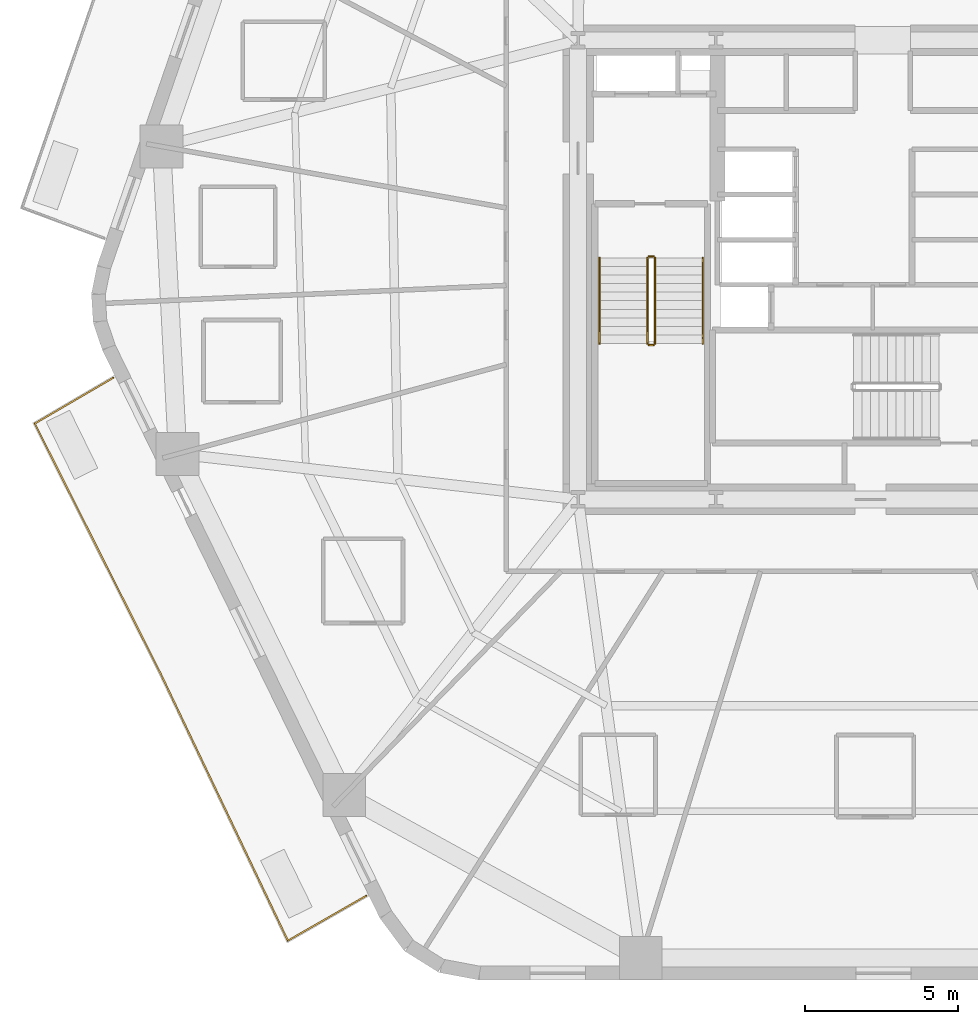
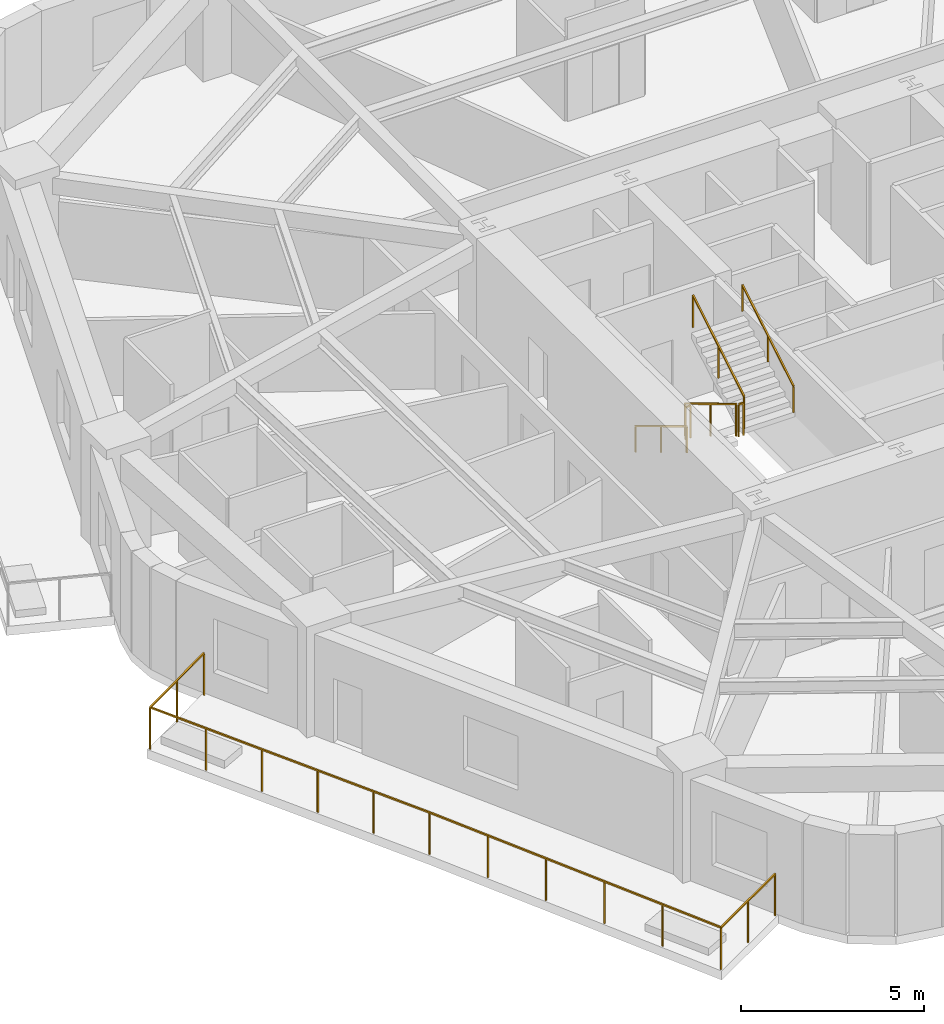
# One storey, part 8 of 10: 7 railings.
"""IFC4 building model written with IfcOpenShell, lengths in metres."""

from ifc_helpers import new_model, si_unit, direction, frame, origin, origin_2d, place, context, subcontext, project, spatial, rectangle, extrude, material, layer, layer_set, type_object, element, save


model = new_model("IFC4")

# Units and contexts
model_context = context("Model", 3, precision=1e-05, world=origin(), true_north=direction((0.0, 1.0)))
body_context = subcontext(model_context, "Body", "Model", "MODEL_VIEW")
ifc_project = project(units=[si_unit("LENGTHUNIT", "METRE"), si_unit("AREAUNIT", "SQUARE_METRE"), si_unit("VOLUMEUNIT", "CUBIC_METRE"), si_unit("PLANEANGLEUNIT", "RADIAN"), si_unit("MASSUNIT", "GRAM", prefix="KILO")], contexts=[model_context])

# Site, building, storey
site_placement = place(None, origin())
site = spatial("IfcSite", under=ifc_project, at=site_placement, CompositionType="ELEMENT")
building_placement = place(site_placement, origin())
building = spatial("IfcBuilding", under=site, at=building_placement, Name="Kilnhurst Terrace Hotel", CompositionType="ELEMENT")
storey_placement = place(building_placement, frame((0.0, 0.0, 82.300048828125)))
storey = spatial("IfcBuildingStorey", under=building, at=storey_placement, Name="L19", CompositionType="ELEMENT", Elevation=82.300048828125)

# Railings
ifc_material_1 = material(Name="Laminated SentryGlas and Stainless Steel AISI 316L Balustrade", Category="steel")
ifc_layer_1 = layer(ifc_material_1, 0.070068359375, Name="Laminated SentryGlas and Stainless Steel AISI 316L Balustrade")
ifc_layer_set_1 = layer_set([ifc_layer_1], Name="Laminated SentryGlas and Stainless Steel AISI 316L Balustrade")
railing_type_1 = type_object("IfcRailingType", Name="RLG-BAL-1420", PredefinedType="BALUSTRADE", material=ifc_layer_set_1)
railing_1_placement = place(storey_placement, frame((-15.923095703125, -20.44873046875, 0.0)))
element("IfcRailing", 1, at=railing_1_placement, inside=storey, type_object=railing_type_1, Name="L19 Exterior Terrace Guardrail BAL-L2B.1", PredefinedType="BALUSTRADE", context=body_context, shape_type="SweptSolid", body=[
    extrude(rectangle(XDim=0.048095703125, YDim=0.048095703125, at=origin_2d()), frame((0.0, 0.0, 1.39599609375), z_axis=(-0.86763656582, -0.497198943736, 0.0), x_axis=(0.497198943736, -0.86763656582, 0.0)), (0.0, 0.0, 1.0), 2.95068359375),
    extrude(rectangle(XDim=0.048095703125, YDim=0.048095703125, at=origin_2d()), frame((-2.56005859375, -1.467041015625, 1.39599609375), z_axis=(-0.430147205624, 0.902758761516, 0.0), x_axis=(-0.902758761516, -0.430147205624, 0.0)), (0.0, 0.0, 1.0), 9.67041015625),
    extrude(rectangle(XDim=0.048095703125, YDim=0.048095703125, at=origin_2d()), frame((-6.7197265625, 7.262939453125, 1.39599609375), z_axis=(-0.514495755428, 0.857492925713, 0.0), x_axis=(-0.857492925713, -0.514495755428, 0.0)), (0.0, 0.0, 1.0), 0.00146484375),
    extrude(rectangle(XDim=0.048095703125, YDim=0.048095703125, at=origin_2d()), frame((-6.720458984375, 7.26416015625, 1.39599609375), z_axis=(-0.449648824937, 0.89320542667, 0.0), x_axis=(-0.89320542667, -0.449648824937, 0.0)), (0.0, 0.0, 1.0), 9.136962890625),
    extrude(rectangle(XDim=0.048095703125, YDim=0.048095703125, at=origin_2d()), frame((-10.828857421875, 15.42529296875, 1.39599609375), z_axis=(0.863737120301, 0.503942642584, 0.0), x_axis=(-0.503942642584, 0.863737120301, 0.0)), (0.0, 0.0, 1.0), 2.96728515625),
    extrude(rectangle(XDim=0.0419921875, YDim=0.0419921875, at=origin_2d()), origin(), (0.0, 0.0, 1.0), 1.371826171875),
    extrude(rectangle(XDim=0.0419921875, YDim=0.0419921875, at=origin_2d()), frame((-1.280029296875, -0.7333984375, 0.0)), (0.0, 0.0, 1.0), 1.371826171875),
    extrude(rectangle(XDim=0.0419921875, YDim=0.0419921875, at=origin_2d()), frame((-2.56005859375, -1.467041015625, 0.0)), (0.0, 0.0, 1.0), 1.371826171875),
    extrude(rectangle(XDim=0.0419921875, YDim=0.0419921875, at=origin_2d()), frame((-3.39208984375, 0.279052734375, 0.0)), (0.0, 0.0, 1.0), 1.371826171875),
    extrude(rectangle(XDim=0.0419921875, YDim=0.0419921875, at=origin_2d()), frame((-4.223876953125, 2.02490234375, 0.0)), (0.0, 0.0, 1.0), 1.371826171875),
    extrude(rectangle(XDim=0.0419921875, YDim=0.0419921875, at=origin_2d()), frame((-5.055908203125, 3.77099609375, 0.0)), (0.0, 0.0, 1.0), 1.371826171875),
    extrude(rectangle(XDim=0.0419921875, YDim=0.0419921875, at=origin_2d()), frame((-5.8876953125, 5.516845703125, 0.0)), (0.0, 0.0, 1.0), 1.371826171875),
    extrude(rectangle(XDim=0.0419921875, YDim=0.0419921875, at=origin_2d()), frame((-6.7197265625, 7.262939453125, 0.0)), (0.0, 0.0, 1.0), 1.371826171875),
    extrude(rectangle(XDim=0.0419921875, YDim=0.0419921875, at=origin_2d()), frame((-6.720458984375, 7.26416015625, 0.0)), (0.0, 0.0, 1.0), 1.371826171875),
    extrude(rectangle(XDim=0.0419921875, YDim=0.0419921875, at=origin_2d()), frame((-7.542236328125, 8.896484375, 0.0)), (0.0, 0.0, 1.0), 1.371826171875),
    extrude(rectangle(XDim=0.0419921875, YDim=0.0419921875, at=origin_2d()), frame((-8.36376953125, 10.528564453125, 0.0)), (0.0, 0.0, 1.0), 1.371826171875),
    extrude(rectangle(XDim=0.0419921875, YDim=0.0419921875, at=origin_2d()), frame((-9.185546875, 12.160888671875, 0.0)), (0.0, 0.0, 1.0), 1.371826171875),
    extrude(rectangle(XDim=0.0419921875, YDim=0.0419921875, at=origin_2d()), frame((-10.007080078125, 13.79296875, 0.0)), (0.0, 0.0, 1.0), 1.371826171875),
    extrude(rectangle(XDim=0.0419921875, YDim=0.0419921875, at=origin_2d()), frame((-10.828857421875, 15.42529296875, 0.0)), (0.0, 0.0, 1.0), 1.371826171875),
    extrude(rectangle(XDim=0.0419921875, YDim=0.0419921875, at=origin_2d()), frame((-9.54736328125, 16.1728515625, 0.0)), (0.0, 0.0, 1.0), 1.371826171875),
    extrude(rectangle(XDim=0.0419921875, YDim=0.0419921875, at=origin_2d()), frame((-8.265869140625, 16.920654296875, 0.0)), (0.0, 0.0, 1.0), 1.371826171875),
])
ifc_material_2 = material(Name="Powder-Coated Steel ASTM A500 Grade B", Category="steel")
ifc_layer_2 = layer(ifc_material_2, 0.050048828125, Name="Powder-Coated Steel ASTM A500 Grade B")
ifc_layer_set_2 = layer_set([ifc_layer_2], Name="Powder-Coated Steel ASTM A500 Grade B")
railing_type_2 = type_object("IfcRailingType", Name="RLG-ST-GRD-1100", PredefinedType="GUARDRAIL", material=ifc_layer_set_2)
railing_2_placement = place(storey_placement, frame((-6.739990234375, 0.389892578125, 0.168212890625)))
element("IfcRailing", 2, at=railing_2_placement, inside=storey, type_object=railing_type_2, Name="L19 ST-1 stair guard 1", PredefinedType="GUARDRAIL", context=body_context, shape_type="SweptSolid", body=[
    extrude(rectangle(XDim=0.048095703125, YDim=0.048095703125, at=origin_2d()), frame((0.0, 0.0, 1.076171875), z_axis=(0.0, -0.857255387014, 0.514891446264), x_axis=(1.0, 0.0, 0.0)), (0.0, 0.0, 1.0), 3.26611328125),
    extrude(rectangle(XDim=0.0419921875, YDim=0.0419921875, at=origin_2d()), origin(), (0.0, 0.0, 1.0), 1.052001953125),
    extrude(rectangle(XDim=0.0419921875, YDim=0.0419921875, at=origin_2d()), frame((0.0, -1.39990234375, 0.8408203125)), (0.0, 0.0, 1.0), 1.052001953125),
    extrude(rectangle(XDim=0.0419921875, YDim=0.0419921875, at=origin_2d()), frame((0.0, -2.7998046875, 1.681640625)), (0.0, 0.0, 1.0), 1.052001953125),
])
railing_3_placement = place(storey_placement, frame((-6.68994140625, -2.4599609375, 1.849853515625)))
element("IfcRailing", 3, at=railing_3_placement, inside=storey, type_object=railing_type_2, Name="L19 ST-1 stair guard 2", PredefinedType="GUARDRAIL", context=body_context, shape_type="SweptSolid", body=[
    extrude(rectangle(XDim=0.048095703125, YDim=0.048095703125, at=origin_2d()), frame((0.0, 0.0, 1.076171875), z_axis=(1.0, 0.0, 0.0), x_axis=(0.0, 1.0, 0.0)), (0.0, 0.0, 1.0), 0.14990234375),
    extrude(rectangle(XDim=0.0419921875, YDim=0.0419921875, at=origin_2d()), origin(), (0.0, 0.0, 1.0), 1.052001953125),
    extrude(rectangle(XDim=0.0419921875, YDim=0.0419921875, at=origin_2d()), frame((0.14990234375, 0.0, 0.0)), (0.0, 0.0, 1.0), 1.052001953125),
])
railing_4_placement = place(storey_placement, frame((-6.489990234375, -2.409912109375, 2.01806640625)))
element("IfcRailing", 4, at=railing_4_placement, inside=storey, type_object=railing_type_2, Name="L19 ST-1 stair guard 3", PredefinedType="GUARDRAIL", context=body_context, shape_type="SweptSolid", body=[
    extrude(rectangle(XDim=0.048095703125, YDim=0.048095703125, at=origin_2d()), frame((0.0, 0.0, 1.076171875), z_axis=(0.0, 0.857222391501, 0.514946377315), x_axis=(-1.0, 0.0, 0.0)), (0.0, 0.0, 1.0), 3.26611328125),
    extrude(rectangle(XDim=0.0419921875, YDim=0.0419921875, at=origin_2d()), origin(), (0.0, 0.0, 1.0), 1.052001953125),
    extrude(rectangle(XDim=0.0419921875, YDim=0.0419921875, at=origin_2d()), frame((0.0, 1.39990234375, 0.8408203125)), (0.0, 0.0, 1.0), 1.052001953125),
    extrude(rectangle(XDim=0.0419921875, YDim=0.0419921875, at=origin_2d()), frame((0.0, 2.7998046875, 1.681884765625)), (0.0, 0.0, 1.0), 1.052001953125),
])
railing_5_placement = place(storey_placement, frame((-6.68994140625, 0.43994140625, 0.0)))
element("IfcRailing", 5, at=railing_5_placement, inside=storey, type_object=railing_type_2, Name="L19 ST-1 stair guard 4", PredefinedType="GUARDRAIL", context=body_context, shape_type="SweptSolid", body=[
    extrude(rectangle(XDim=0.048095703125, YDim=0.048095703125, at=origin_2d()), frame((0.0, 0.0, 1.076171875), z_axis=(1.0, 0.0, 0.0), x_axis=(0.0, 1.0, 0.0)), (0.0, 0.0, 1.0), 0.14990234375),
    extrude(rectangle(XDim=0.0419921875, YDim=0.0419921875, at=origin_2d()), origin(), (0.0, 0.0, 1.0), 1.052001953125),
    extrude(rectangle(XDim=0.0419921875, YDim=0.0419921875, at=origin_2d()), frame((0.14990234375, 0.0, 0.0)), (0.0, 0.0, 1.0), 1.052001953125),
])
ifc_material_3 = material(Name="Brushed Stainless Steel AISI 304", Category="steel")
ifc_layer_3 = layer(ifc_material_3, 0.048095703125, Name="Brushed Stainless Steel AISI 304")
ifc_layer_set_3 = layer_set([ifc_layer_3], Name="Brushed Stainless Steel AISI 304")
railing_type_3 = type_object("IfcRailingType", Name="RLG-ST-HRL-900", PredefinedType="HANDRAIL", material=ifc_layer_set_3)
railing_6_placement = place(storey_placement, frame((-8.300048828125, 0.389892578125, 0.168212890625)))
element("IfcRailing", 6, at=railing_6_placement, inside=storey, type_object=railing_type_3, Name="L19 ST-1 stair handrail 1", PredefinedType="HANDRAIL", context=body_context, shape_type="SweptSolid", body=[
    extrude(rectangle(XDim=0.048095703125, YDim=0.048095703125, at=origin_2d()), frame((0.0, 0.0, 0.8759765625), z_axis=(0.0, -0.857255387014, 0.514891446264), x_axis=(1.0, 0.0, 0.0)), (0.0, 0.0, 1.0), 3.26611328125),
    extrude(rectangle(XDim=0.0419921875, YDim=0.0419921875, at=origin_2d()), origin(), (0.0, 0.0, 1.0), 0.851806640625),
    extrude(rectangle(XDim=0.0419921875, YDim=0.0419921875, at=origin_2d()), frame((0.0, -1.39990234375, 0.8408203125)), (0.0, 0.0, 1.0), 0.851806640625),
    extrude(rectangle(XDim=0.0419921875, YDim=0.0419921875, at=origin_2d()), frame((0.0, -2.7998046875, 1.681640625)), (0.0, 0.0, 1.0), 0.851806640625),
])
railing_7_placement = place(storey_placement, frame((-4.929931640625, -2.409912109375, 2.01806640625)))
element("IfcRailing", 7, at=railing_7_placement, inside=storey, type_object=railing_type_3, Name="L19 ST-1 stair handrail 2", PredefinedType="HANDRAIL", context=body_context, shape_type="SweptSolid", body=[
    extrude(rectangle(XDim=0.048095703125, YDim=0.048095703125, at=origin_2d()), frame((0.0, 0.0, 0.8759765625), z_axis=(0.0, 0.857222391501, 0.514946377315), x_axis=(-1.0, 0.0, 0.0)), (0.0, 0.0, 1.0), 3.26611328125),
    extrude(rectangle(XDim=0.0419921875, YDim=0.0419921875, at=origin_2d()), origin(), (0.0, 0.0, 1.0), 0.851806640625),
    extrude(rectangle(XDim=0.0419921875, YDim=0.0419921875, at=origin_2d()), frame((0.0, 1.39990234375, 0.8408203125)), (0.0, 0.0, 1.0), 0.851806640625),
    extrude(rectangle(XDim=0.0419921875, YDim=0.0419921875, at=origin_2d()), frame((0.0, 2.7998046875, 1.681884765625)), (0.0, 0.0, 1.0), 0.851806640625),
])

save(model, "model.ifc")
